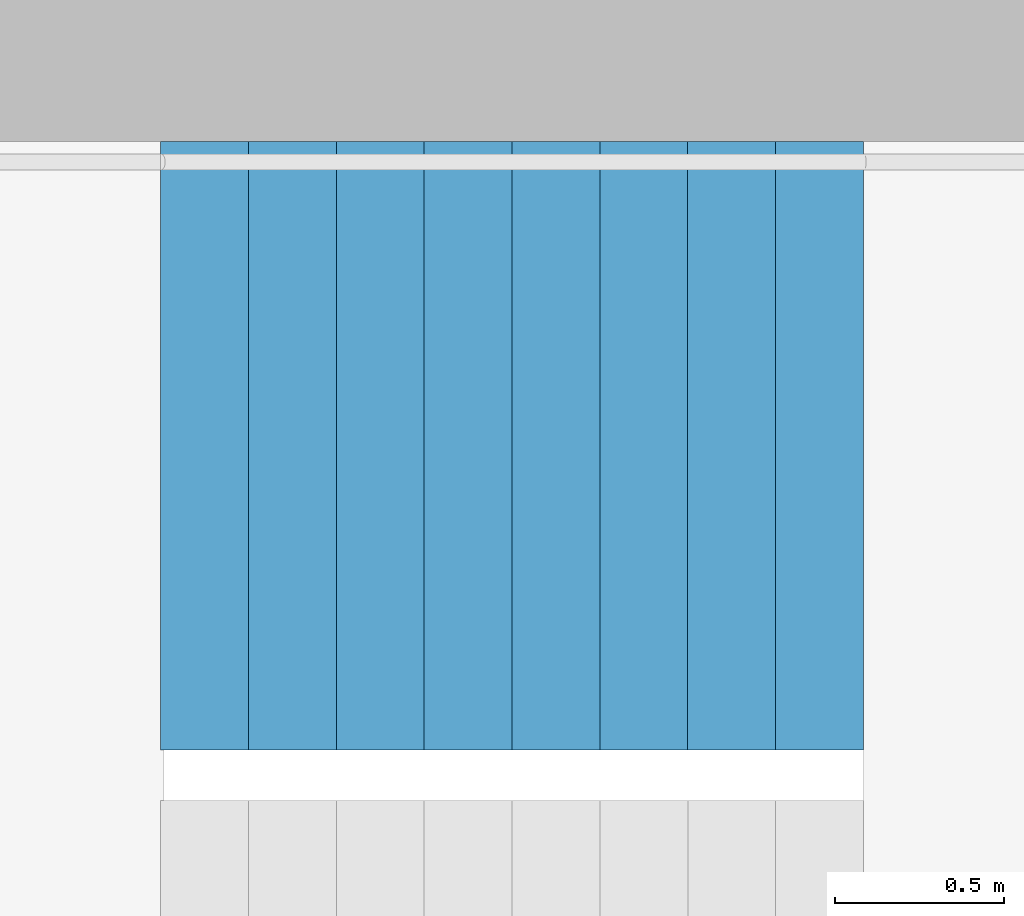
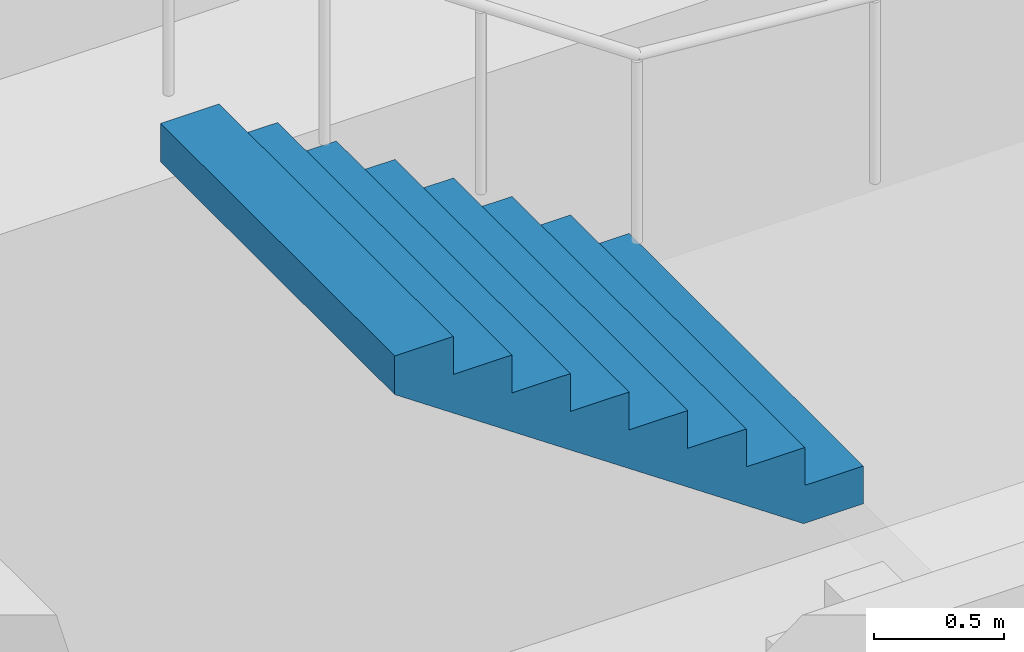
# One storey, part 19 of 29: 1 stair flight, 1 element without a shape of its own.
"""IFC4 building model written with IfcOpenShell, lengths in metres."""

from ifc_helpers import new_model, si_unit, direction, frame, origin, place, context, subcontext, project, spatial, triangles, material, type_object, element, aggregate, save


model = new_model("IFC4")

# Units and contexts
model_context = context("Model", 3, precision=1e-05, world=origin(), true_north=direction((0.0, 1.0)))
body_context = subcontext(model_context, "Body", "Model", "MODEL_VIEW")
ifc_project = project(units=[si_unit("LENGTHUNIT", "METRE"), si_unit("AREAUNIT", "SQUARE_METRE"), si_unit("VOLUMEUNIT", "CUBIC_METRE"), si_unit("PLANEANGLEUNIT", "RADIAN"), si_unit("MASSUNIT", "GRAM", prefix="KILO")], contexts=[model_context])

# Site, building, storey
site_placement = place(None, origin())
site = spatial("IfcSite", under=ifc_project, at=site_placement, CompositionType="ELEMENT")
building_placement = place(site_placement, origin())
building = spatial("IfcBuilding", under=site, at=building_placement, Name="Hakoniwa Tower and Hamabe Station Hall", CompositionType="ELEMENT")
storey_placement = place(building_placement, frame((0.0, 0.0, 163.0)))
storey = spatial("IfcBuildingStorey", under=building, at=storey_placement, Name="L46", CompositionType="ELEMENT", Elevation=163.0)

# Stair, stair flight
ifc_material_1 = material(Name="Concrete C40", Category="concrete")
stair_type = type_object("IfcStairType", Name="ESCAPE STAIR 1800", PredefinedType="HALF_TURN_STAIR", material=ifc_material_1)
stair_placement = place(storey_placement, origin())
stair = element("IfcStair", 1, at=stair_placement, inside=storey, type_object=stair_type, Name="Escape stair ST-1 L46", PredefinedType="HALF_TURN_STAIR")
ifc_material_2 = material(Name="Concrete C40", Category="concrete")
stair_flight_type = type_object("IfcStairFlightType", Name="STAIR FLIGHT 1800", PredefinedType="STRAIGHT", material=ifc_material_2)
stair_flight_placement = place(storey_placement, frame((-22.320068359375, 6.60009765625, 1.60009765625), z_axis=(0.0, 0.0, 1.0), x_axis=(-1.0, 0.0, 0.0)))
stair_flight = element("IfcStairFlight", 2, at=stair_flight_placement, type_object=stair_flight_type, Name="ST-1 flight 2", NumberOfRisers=9, NumberOfTreads=8, PredefinedType="STRAIGHT", RiserHeight=0.177777778, TreadLength=0.26, context=body_context, shape_type="Tessellation", body=[
    triangles([(0.0, 0.89990234375, 0.0), (0.260009765625, 0.89990234375, 0.0), (0.265625, 0.89990234375, 0.0), (0.52001953125, 0.89990234375, 0.174072265625), (0.780029296875, 0.89990234375, 0.351806640625), (1.0400390625, 0.89990234375, 0.529541015625), (1.300048828125, 0.89990234375, 0.707275390625), (1.56005859375, 0.89990234375, 0.885009765625), (1.820068359375, 0.89990234375, 1.062744140625), (2.080078125, 0.89990234375, 1.24072265625), (2.080078125, 0.89990234375, 1.422119140625), (1.820068359375, 0.89990234375, 1.422119140625), (1.820068359375, 0.89990234375, 1.244384765625), (1.56005859375, 0.89990234375, 1.244384765625), (1.56005859375, 0.89990234375, 1.066650390625), (1.300048828125, 0.89990234375, 1.066650390625), (1.300048828125, 0.89990234375, 0.888916015625), (1.0400390625, 0.89990234375, 0.888916015625), (1.0400390625, 0.89990234375, 0.711181640625), (0.780029296875, 0.89990234375, 0.711181640625), (0.780029296875, 0.89990234375, 0.533447265625), (0.52001953125, 0.89990234375, 0.533447265625), (0.52001953125, 0.89990234375, 0.35546875), (0.265625, 0.89990234375, 0.35546875), (0.260009765625, 0.89990234375, 0.35546875), (0.260009765625, 0.89990234375, 0.177734375), (0.0, 0.89990234375, 0.177734375), (0.0, 0.06005859375, 0.0), (0.260009765625, 0.06005859375, 0.0), (0.265625, 0.06005859375, 0.0), (0.52001953125, 0.06005859375, 0.174072265625), (0.780029296875, 0.06005859375, 0.351806640625), (1.0400390625, 0.06005859375, 0.529541015625), (1.300048828125, 0.06005859375, 0.707275390625), (1.56005859375, 0.06005859375, 0.885009765625), (1.820068359375, 0.06005859375, 1.062744140625), (2.080078125, 0.06005859375, 1.24072265625), (2.080078125, 0.06005859375, 1.422119140625), (1.820068359375, 0.06005859375, 1.422119140625), (1.820068359375, 0.06005859375, 1.244384765625), (1.56005859375, 0.06005859375, 1.244384765625), (1.56005859375, 0.06005859375, 1.066650390625), (1.300048828125, 0.06005859375, 1.066650390625), (1.300048828125, 0.06005859375, 0.888916015625), (1.0400390625, 0.06005859375, 0.888916015625), (1.0400390625, 0.06005859375, 0.711181640625), (0.780029296875, 0.06005859375, 0.711181640625), (0.780029296875, 0.06005859375, 0.533447265625), (0.52001953125, 0.06005859375, 0.533447265625), (0.52001953125, 0.06005859375, 0.35546875), (0.265625, 0.06005859375, 0.35546875), (0.260009765625, 0.06005859375, 0.35546875), (0.260009765625, 0.06005859375, 0.177734375), (0.0, 0.06005859375, 0.177734375), (0.0, 0.04296875, 0.0), (0.260009765625, 0.04296875, 0.0), (0.265625, 0.04296875, 0.0), (0.52001953125, 0.04296875, 0.174072265625), (0.780029296875, 0.04296875, 0.351806640625), (1.0400390625, 0.04296875, 0.529541015625), (1.300048828125, 0.04296875, 0.707275390625), (1.56005859375, 0.04296875, 0.885009765625), (1.820068359375, 0.04296875, 1.062744140625), (2.080078125, 0.04296875, 1.24072265625), (2.080078125, 0.04296875, 1.422119140625), (1.820068359375, 0.04296875, 1.422119140625), (1.820068359375, 0.04296875, 1.244384765625), (1.56005859375, 0.04296875, 1.244384765625), (1.56005859375, 0.04296875, 1.066650390625), (1.300048828125, 0.04296875, 1.066650390625), (1.300048828125, 0.04296875, 0.888916015625), (1.0400390625, 0.04296875, 0.888916015625), (1.0400390625, 0.04296875, 0.711181640625), (0.780029296875, 0.04296875, 0.711181640625), (0.780029296875, 0.04296875, 0.533447265625), (0.52001953125, 0.04296875, 0.533447265625), (0.52001953125, 0.04296875, 0.35546875), (0.265625, 0.04296875, 0.35546875), (0.260009765625, 0.04296875, 0.35546875), (0.260009765625, 0.04296875, 0.177734375), (0.0, 0.04296875, 0.177734375), (0.0, 0.025634765625, 0.0), (0.260009765625, 0.025634765625, 0.0), (0.265625, 0.025634765625, 0.0), (0.52001953125, 0.025634765625, 0.174072265625), (0.780029296875, 0.025634765625, 0.351806640625), (1.0400390625, 0.025634765625, 0.529541015625), (1.300048828125, 0.025634765625, 0.707275390625), (1.56005859375, 0.025634765625, 0.885009765625), (1.820068359375, 0.025634765625, 1.062744140625), (2.080078125, 0.025634765625, 1.24072265625), (2.080078125, 0.025634765625, 1.422119140625), (1.820068359375, 0.025634765625, 1.422119140625), (1.820068359375, 0.025634765625, 1.244384765625), (1.56005859375, 0.025634765625, 1.244384765625), (1.56005859375, 0.025634765625, 1.066650390625), (1.300048828125, 0.025634765625, 1.066650390625), (1.300048828125, 0.025634765625, 0.888916015625), (1.0400390625, 0.025634765625, 0.888916015625), (1.0400390625, 0.025634765625, 0.711181640625), (0.780029296875, 0.025634765625, 0.711181640625), (0.780029296875, 0.025634765625, 0.533447265625), (0.52001953125, 0.025634765625, 0.533447265625), (0.52001953125, 0.025634765625, 0.35546875), (0.265625, 0.025634765625, 0.35546875), (0.260009765625, 0.025634765625, 0.35546875), (0.260009765625, 0.025634765625, 0.177734375), (0.0, 0.025634765625, 0.177734375), (0.0, 0.008544921875, 0.0), (0.260009765625, 0.008544921875, 0.0), (0.265625, 0.008544921875, 0.0), (0.52001953125, 0.008544921875, 0.174072265625), (0.780029296875, 0.008544921875, 0.351806640625), (1.0400390625, 0.008544921875, 0.529541015625), (1.300048828125, 0.008544921875, 0.707275390625), (1.56005859375, 0.008544921875, 0.885009765625), (1.820068359375, 0.008544921875, 1.062744140625), (2.080078125, 0.008544921875, 1.24072265625), (2.080078125, 0.008544921875, 1.422119140625), (1.820068359375, 0.008544921875, 1.422119140625), (1.820068359375, 0.008544921875, 1.244384765625), (1.56005859375, 0.008544921875, 1.244384765625), (1.56005859375, 0.008544921875, 1.066650390625), (1.300048828125, 0.008544921875, 1.066650390625), (1.300048828125, 0.008544921875, 0.888916015625), (1.0400390625, 0.008544921875, 0.888916015625), (1.0400390625, 0.008544921875, 0.711181640625), (0.780029296875, 0.008544921875, 0.711181640625), (0.780029296875, 0.008544921875, 0.533447265625), (0.52001953125, 0.008544921875, 0.533447265625), (0.52001953125, 0.008544921875, 0.35546875), (0.265625, 0.008544921875, 0.35546875), (0.260009765625, 0.008544921875, 0.35546875), (0.260009765625, 0.008544921875, 0.177734375), (0.0, 0.008544921875, 0.177734375), (0.0, -0.008544921875, 0.0), (0.260009765625, -0.008544921875, 0.0), (0.265625, -0.008544921875, 0.0), (0.52001953125, -0.008544921875, 0.174072265625), (0.780029296875, -0.008544921875, 0.351806640625), (1.0400390625, -0.008544921875, 0.529541015625), (1.300048828125, -0.008544921875, 0.707275390625), (1.56005859375, -0.008544921875, 0.885009765625), (1.820068359375, -0.008544921875, 1.062744140625), (2.080078125, -0.008544921875, 1.24072265625), (2.080078125, -0.008544921875, 1.422119140625), (1.820068359375, -0.008544921875, 1.422119140625), (1.820068359375, -0.008544921875, 1.244384765625), (1.56005859375, -0.008544921875, 1.244384765625), (1.56005859375, -0.008544921875, 1.066650390625), (1.300048828125, -0.008544921875, 1.066650390625), (1.300048828125, -0.008544921875, 0.888916015625), (1.0400390625, -0.008544921875, 0.888916015625), (1.0400390625, -0.008544921875, 0.711181640625), (0.780029296875, -0.008544921875, 0.711181640625), (0.780029296875, -0.008544921875, 0.533447265625), (0.52001953125, -0.008544921875, 0.533447265625), (0.52001953125, -0.008544921875, 0.35546875), (0.265625, -0.008544921875, 0.35546875), (0.260009765625, -0.008544921875, 0.35546875), (0.260009765625, -0.008544921875, 0.177734375), (0.0, -0.008544921875, 0.177734375), (0.0, -0.025634765625, 0.0), (0.260009765625, -0.025634765625, 0.0), (0.265625, -0.025634765625, 0.0), (0.52001953125, -0.025634765625, 0.174072265625), (0.780029296875, -0.025634765625, 0.351806640625), (1.0400390625, -0.025634765625, 0.529541015625), (1.300048828125, -0.025634765625, 0.707275390625), (1.56005859375, -0.025634765625, 0.885009765625), (1.820068359375, -0.025634765625, 1.062744140625), (2.080078125, -0.025634765625, 1.24072265625), (2.080078125, -0.025634765625, 1.422119140625), (1.820068359375, -0.025634765625, 1.422119140625), (1.820068359375, -0.025634765625, 1.244384765625), (1.56005859375, -0.025634765625, 1.244384765625), (1.56005859375, -0.025634765625, 1.066650390625), (1.300048828125, -0.025634765625, 1.066650390625), (1.300048828125, -0.025634765625, 0.888916015625), (1.0400390625, -0.025634765625, 0.888916015625), (1.0400390625, -0.025634765625, 0.711181640625), (0.780029296875, -0.025634765625, 0.711181640625), (0.780029296875, -0.025634765625, 0.533447265625), (0.52001953125, -0.025634765625, 0.533447265625), (0.52001953125, -0.025634765625, 0.35546875), (0.265625, -0.025634765625, 0.35546875), (0.260009765625, -0.025634765625, 0.35546875), (0.260009765625, -0.025634765625, 0.177734375), (0.0, -0.025634765625, 0.177734375), (0.0, -0.04296875, 0.0), (0.260009765625, -0.04296875, 0.0), (0.265625, -0.04296875, 0.0), (0.52001953125, -0.04296875, 0.174072265625), (0.780029296875, -0.04296875, 0.351806640625), (1.0400390625, -0.04296875, 0.529541015625), (1.300048828125, -0.04296875, 0.707275390625), (1.56005859375, -0.04296875, 0.885009765625), (1.820068359375, -0.04296875, 1.062744140625), (2.080078125, -0.04296875, 1.24072265625), (2.080078125, -0.04296875, 1.422119140625), (1.820068359375, -0.04296875, 1.422119140625), (1.820068359375, -0.04296875, 1.244384765625), (1.56005859375, -0.04296875, 1.244384765625), (1.56005859375, -0.04296875, 1.066650390625), (1.300048828125, -0.04296875, 1.066650390625), (1.300048828125, -0.04296875, 0.888916015625), (1.0400390625, -0.04296875, 0.888916015625), (1.0400390625, -0.04296875, 0.711181640625), (0.780029296875, -0.04296875, 0.711181640625), (0.780029296875, -0.04296875, 0.533447265625), (0.52001953125, -0.04296875, 0.533447265625), (0.52001953125, -0.04296875, 0.35546875), (0.265625, -0.04296875, 0.35546875), (0.260009765625, -0.04296875, 0.35546875), (0.260009765625, -0.04296875, 0.177734375), (0.0, -0.04296875, 0.177734375), (0.0, -0.06005859375, 0.0), (0.260009765625, -0.06005859375, 0.0), (0.265625, -0.06005859375, 0.0), (0.52001953125, -0.06005859375, 0.174072265625), (0.780029296875, -0.06005859375, 0.351806640625), (1.0400390625, -0.06005859375, 0.529541015625), (1.300048828125, -0.06005859375, 0.707275390625), (1.56005859375, -0.06005859375, 0.885009765625), (1.820068359375, -0.06005859375, 1.062744140625), (2.080078125, -0.06005859375, 1.24072265625), (2.080078125, -0.06005859375, 1.422119140625), (1.820068359375, -0.06005859375, 1.422119140625), (1.820068359375, -0.06005859375, 1.244384765625), (1.56005859375, -0.06005859375, 1.244384765625), (1.56005859375, -0.06005859375, 1.066650390625), (1.300048828125, -0.06005859375, 1.066650390625), (1.300048828125, -0.06005859375, 0.888916015625), (1.0400390625, -0.06005859375, 0.888916015625), (1.0400390625, -0.06005859375, 0.711181640625), (0.780029296875, -0.06005859375, 0.711181640625), (0.780029296875, -0.06005859375, 0.533447265625), (0.52001953125, -0.06005859375, 0.533447265625), (0.52001953125, -0.06005859375, 0.35546875), (0.265625, -0.06005859375, 0.35546875), (0.260009765625, -0.06005859375, 0.35546875), (0.260009765625, -0.06005859375, 0.177734375), (0.0, -0.06005859375, 0.177734375), (0.0, -0.89990234375, 0.0), (0.260009765625, -0.89990234375, 0.0), (0.265625, -0.89990234375, 0.0), (0.52001953125, -0.89990234375, 0.174072265625), (0.780029296875, -0.89990234375, 0.351806640625), (1.0400390625, -0.89990234375, 0.529541015625), (1.300048828125, -0.89990234375, 0.707275390625), (1.56005859375, -0.89990234375, 0.885009765625), (1.820068359375, -0.89990234375, 1.062744140625), (2.080078125, -0.89990234375, 1.24072265625), (2.080078125, -0.89990234375, 1.422119140625), (1.820068359375, -0.89990234375, 1.422119140625), (1.820068359375, -0.89990234375, 1.244384765625), (1.56005859375, -0.89990234375, 1.244384765625), (1.56005859375, -0.89990234375, 1.066650390625), (1.300048828125, -0.89990234375, 1.066650390625), (1.300048828125, -0.89990234375, 0.888916015625), (1.0400390625, -0.89990234375, 0.888916015625), (1.0400390625, -0.89990234375, 0.711181640625), (0.780029296875, -0.89990234375, 0.711181640625), (0.780029296875, -0.89990234375, 0.533447265625), (0.52001953125, -0.89990234375, 0.533447265625), (0.52001953125, -0.89990234375, 0.35546875), (0.265625, -0.89990234375, 0.35546875), (0.260009765625, -0.89990234375, 0.35546875), (0.260009765625, -0.89990234375, 0.177734375), (0.0, -0.89990234375, 0.177734375)], [[2, 27, 26], [245, 269, 270], [2, 1, 27], [245, 270, 244], [3, 25, 24], [246, 267, 268], [3, 26, 25], [246, 268, 269], [3, 2, 26], [246, 269, 245], [4, 24, 23], [247, 266, 267], [4, 3, 24], [247, 267, 246], [5, 22, 21], [248, 264, 265], [5, 23, 22], [248, 265, 266], [5, 4, 23], [248, 266, 247], [6, 20, 19], [249, 262, 263], [6, 21, 20], [249, 263, 264], [6, 5, 21], [249, 264, 248], [7, 18, 17], [250, 260, 261], [7, 19, 18], [250, 261, 262], [7, 6, 19], [250, 262, 249], [8, 16, 15], [251, 258, 259], [8, 17, 16], [251, 259, 260], [8, 7, 17], [251, 260, 250], [9, 14, 13], [252, 256, 257], [9, 15, 14], [252, 257, 258], [9, 8, 15], [252, 258, 251], [10, 12, 11], [253, 254, 255], [10, 13, 12], [253, 255, 256], [10, 9, 13], [253, 256, 252], [1, 2, 29], [1, 29, 28], [28, 29, 56], [28, 56, 55], [55, 56, 83], [55, 83, 82], [82, 83, 110], [82, 110, 109], [109, 110, 137], [109, 137, 136], [136, 137, 164], [136, 164, 163], [163, 164, 191], [163, 191, 190], [190, 191, 218], [190, 218, 217], [217, 218, 245], [217, 245, 244], [2, 3, 30], [2, 30, 29], [29, 30, 57], [29, 57, 56], [56, 57, 84], [56, 84, 83], [83, 84, 111], [83, 111, 110], [110, 111, 138], [110, 138, 137], [137, 138, 165], [137, 165, 164], [164, 165, 192], [164, 192, 191], [191, 192, 219], [191, 219, 218], [218, 219, 246], [218, 246, 245], [3, 4, 31], [3, 31, 30], [30, 31, 58], [30, 58, 57], [57, 58, 85], [57, 85, 84], [84, 85, 112], [84, 112, 111], [111, 112, 139], [111, 139, 138], [138, 139, 166], [138, 166, 165], [165, 166, 193], [165, 193, 192], [192, 193, 220], [192, 220, 219], [219, 220, 247], [219, 247, 246], [4, 5, 32], [4, 32, 31], [31, 32, 59], [31, 59, 58], [58, 59, 86], [58, 86, 85], [85, 86, 113], [85, 113, 112], [112, 113, 140], [112, 140, 139], [139, 140, 167], [139, 167, 166], [166, 167, 194], [166, 194, 193], [193, 194, 221], [193, 221, 220], [220, 221, 248], [220, 248, 247], [5, 6, 33], [5, 33, 32], [32, 33, 60], [32, 60, 59], [59, 60, 87], [59, 87, 86], [86, 87, 114], [86, 114, 113], [113, 114, 141], [113, 141, 140], [140, 141, 168], [140, 168, 167], [167, 168, 195], [167, 195, 194], [194, 195, 222], [194, 222, 221], [221, 222, 249], [221, 249, 248], [6, 7, 34], [6, 34, 33], [33, 34, 61], [33, 61, 60], [60, 61, 88], [60, 88, 87], [87, 88, 115], [87, 115, 114], [114, 115, 142], [114, 142, 141], [141, 142, 169], [141, 169, 168], [168, 169, 196], [168, 196, 195], [195, 196, 223], [195, 223, 222], [222, 223, 250], [222, 250, 249], [7, 8, 35], [7, 35, 34], [34, 35, 62], [34, 62, 61], [61, 62, 89], [61, 89, 88], [88, 89, 116], [88, 116, 115], [115, 116, 143], [115, 143, 142], [142, 143, 170], [142, 170, 169], [169, 170, 197], [169, 197, 196], [196, 197, 224], [196, 224, 223], [223, 224, 251], [223, 251, 250], [8, 9, 36], [8, 36, 35], [35, 36, 63], [35, 63, 62], [62, 63, 90], [62, 90, 89], [89, 90, 117], [89, 117, 116], [116, 117, 144], [116, 144, 143], [143, 144, 171], [143, 171, 170], [170, 171, 198], [170, 198, 197], [197, 198, 225], [197, 225, 224], [224, 225, 252], [224, 252, 251], [9, 10, 37], [9, 37, 36], [36, 37, 64], [36, 64, 63], [63, 64, 91], [63, 91, 90], [90, 91, 118], [90, 118, 117], [117, 118, 145], [117, 145, 144], [144, 145, 172], [144, 172, 171], [171, 172, 199], [171, 199, 198], [198, 199, 226], [198, 226, 225], [225, 226, 253], [225, 253, 252], [10, 11, 38], [10, 38, 37], [37, 38, 65], [37, 65, 64], [64, 65, 92], [64, 92, 91], [91, 92, 119], [91, 119, 118], [118, 119, 146], [118, 146, 145], [145, 146, 173], [145, 173, 172], [172, 173, 200], [172, 200, 199], [199, 200, 227], [199, 227, 226], [226, 227, 254], [226, 254, 253], [11, 12, 39], [11, 39, 38], [38, 39, 66], [38, 66, 65], [65, 66, 93], [65, 93, 92], [92, 93, 120], [92, 120, 119], [119, 120, 147], [119, 147, 146], [146, 147, 174], [146, 174, 173], [173, 174, 201], [173, 201, 200], [200, 201, 228], [200, 228, 227], [227, 228, 255], [227, 255, 254], [12, 13, 40], [12, 40, 39], [39, 40, 67], [39, 67, 66], [66, 67, 94], [66, 94, 93], [93, 94, 121], [93, 121, 120], [120, 121, 148], [120, 148, 147], [147, 148, 175], [147, 175, 174], [174, 175, 202], [174, 202, 201], [201, 202, 229], [201, 229, 228], [228, 229, 256], [228, 256, 255], [13, 14, 41], [13, 41, 40], [40, 41, 68], [40, 68, 67], [67, 68, 95], [67, 95, 94], [94, 95, 122], [94, 122, 121], [121, 122, 149], [121, 149, 148], [148, 149, 176], [148, 176, 175], [175, 176, 203], [175, 203, 202], [202, 203, 230], [202, 230, 229], [229, 230, 257], [229, 257, 256], [14, 15, 42], [14, 42, 41], [41, 42, 69], [41, 69, 68], [68, 69, 96], [68, 96, 95], [95, 96, 123], [95, 123, 122], [122, 123, 150], [122, 150, 149], [149, 150, 177], [149, 177, 176], [176, 177, 204], [176, 204, 203], [203, 204, 231], [203, 231, 230], [230, 231, 258], [230, 258, 257], [15, 16, 43], [15, 43, 42], [42, 43, 70], [42, 70, 69], [69, 70, 97], [69, 97, 96], [96, 97, 124], [96, 124, 123], [123, 124, 151], [123, 151, 150], [150, 151, 178], [150, 178, 177], [177, 178, 205], [177, 205, 204], [204, 205, 232], [204, 232, 231], [231, 232, 259], [231, 259, 258], [16, 17, 44], [16, 44, 43], [43, 44, 71], [43, 71, 70], [70, 71, 98], [70, 98, 97], [97, 98, 125], [97, 125, 124], [124, 125, 152], [124, 152, 151], [151, 152, 179], [151, 179, 178], [178, 179, 206], [178, 206, 205], [205, 206, 233], [205, 233, 232], [232, 233, 260], [232, 260, 259], [17, 18, 45], [17, 45, 44], [44, 45, 72], [44, 72, 71], [71, 72, 99], [71, 99, 98], [98, 99, 126], [98, 126, 125], [125, 126, 153], [125, 153, 152], [152, 153, 180], [152, 180, 179], [179, 180, 207], [179, 207, 206], [206, 207, 234], [206, 234, 233], [233, 234, 261], [233, 261, 260], [18, 19, 46], [18, 46, 45], [45, 46, 73], [45, 73, 72], [72, 73, 100], [72, 100, 99], [99, 100, 127], [99, 127, 126], [126, 127, 154], [126, 154, 153], [153, 154, 181], [153, 181, 180], [180, 181, 208], [180, 208, 207], [207, 208, 235], [207, 235, 234], [234, 235, 262], [234, 262, 261], [19, 20, 47], [19, 47, 46], [46, 47, 74], [46, 74, 73], [73, 74, 101], [73, 101, 100], [100, 101, 128], [100, 128, 127], [127, 128, 155], [127, 155, 154], [154, 155, 182], [154, 182, 181], [181, 182, 209], [181, 209, 208], [208, 209, 236], [208, 236, 235], [235, 236, 263], [235, 263, 262], [20, 21, 48], [20, 48, 47], [47, 48, 75], [47, 75, 74], [74, 75, 102], [74, 102, 101], [101, 102, 129], [101, 129, 128], [128, 129, 156], [128, 156, 155], [155, 156, 183], [155, 183, 182], [182, 183, 210], [182, 210, 209], [209, 210, 237], [209, 237, 236], [236, 237, 264], [236, 264, 263], [21, 22, 49], [21, 49, 48], [48, 49, 76], [48, 76, 75], [75, 76, 103], [75, 103, 102], [102, 103, 130], [102, 130, 129], [129, 130, 157], [129, 157, 156], [156, 157, 184], [156, 184, 183], [183, 184, 211], [183, 211, 210], [210, 211, 238], [210, 238, 237], [237, 238, 265], [237, 265, 264], [22, 23, 50], [22, 50, 49], [49, 50, 77], [49, 77, 76], [76, 77, 104], [76, 104, 103], [103, 104, 131], [103, 131, 130], [130, 131, 158], [130, 158, 157], [157, 158, 185], [157, 185, 184], [184, 185, 212], [184, 212, 211], [211, 212, 239], [211, 239, 238], [238, 239, 266], [238, 266, 265], [23, 24, 51], [23, 51, 50], [50, 51, 78], [50, 78, 77], [77, 78, 105], [77, 105, 104], [104, 105, 132], [104, 132, 131], [131, 132, 159], [131, 159, 158], [158, 159, 186], [158, 186, 185], [185, 186, 213], [185, 213, 212], [212, 213, 240], [212, 240, 239], [239, 240, 267], [239, 267, 266], [24, 25, 52], [24, 52, 51], [51, 52, 79], [51, 79, 78], [78, 79, 106], [78, 106, 105], [105, 106, 133], [105, 133, 132], [132, 133, 160], [132, 160, 159], [159, 160, 187], [159, 187, 186], [186, 187, 214], [186, 214, 213], [213, 214, 241], [213, 241, 240], [240, 241, 268], [240, 268, 267], [25, 26, 53], [25, 53, 52], [52, 53, 80], [52, 80, 79], [79, 80, 107], [79, 107, 106], [106, 107, 134], [106, 134, 133], [133, 134, 161], [133, 161, 160], [160, 161, 188], [160, 188, 187], [187, 188, 215], [187, 215, 214], [214, 215, 242], [214, 242, 241], [241, 242, 269], [241, 269, 268], [26, 27, 54], [26, 54, 53], [53, 54, 81], [53, 81, 80], [80, 81, 108], [80, 108, 107], [107, 108, 135], [107, 135, 134], [134, 135, 162], [134, 162, 161], [161, 162, 189], [161, 189, 188], [188, 189, 216], [188, 216, 215], [215, 216, 243], [215, 243, 242], [242, 243, 270], [242, 270, 269], [27, 1, 28], [27, 28, 54], [54, 28, 55], [54, 55, 81], [81, 55, 82], [81, 82, 108], [108, 82, 109], [108, 109, 135], [135, 109, 136], [135, 136, 162], [162, 136, 163], [162, 163, 189], [189, 163, 190], [189, 190, 216], [216, 190, 217], [216, 217, 243], [243, 217, 244], [243, 244, 270]], closed=True),
])
aggregate(stair, [stair_flight])

save(model, "model.ifc")
